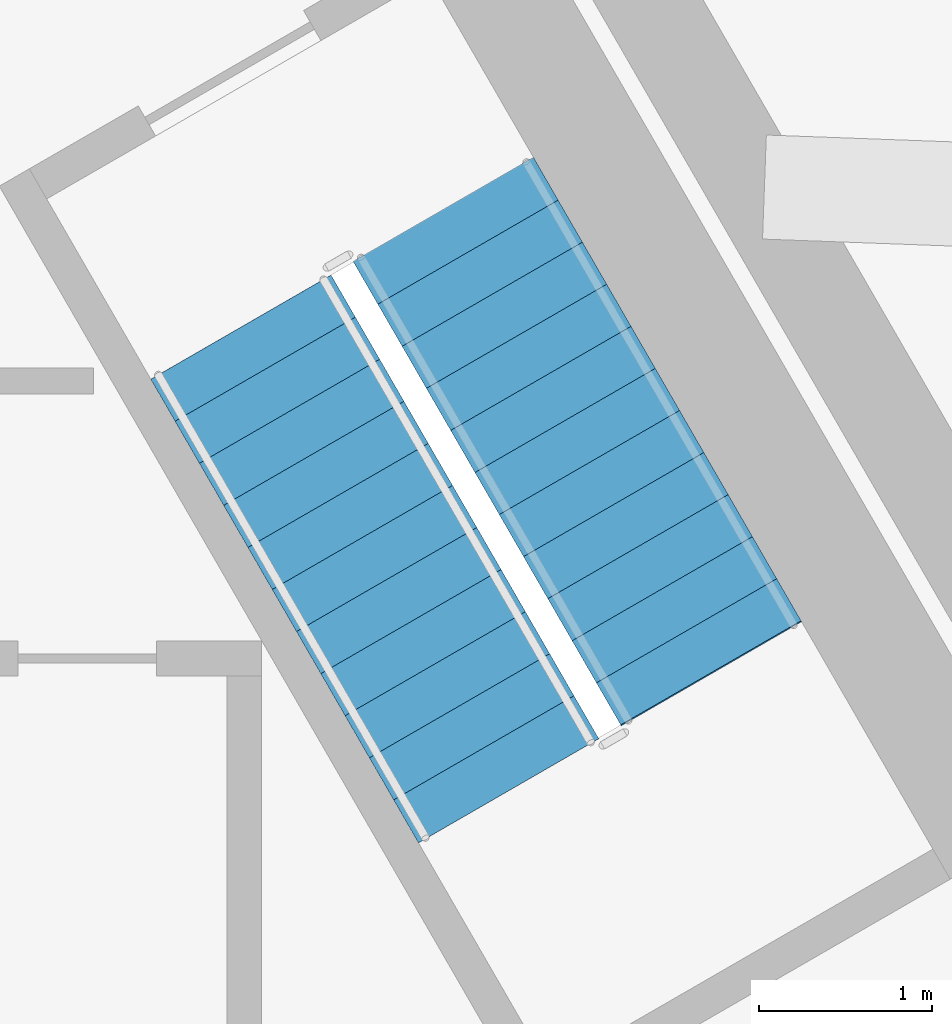
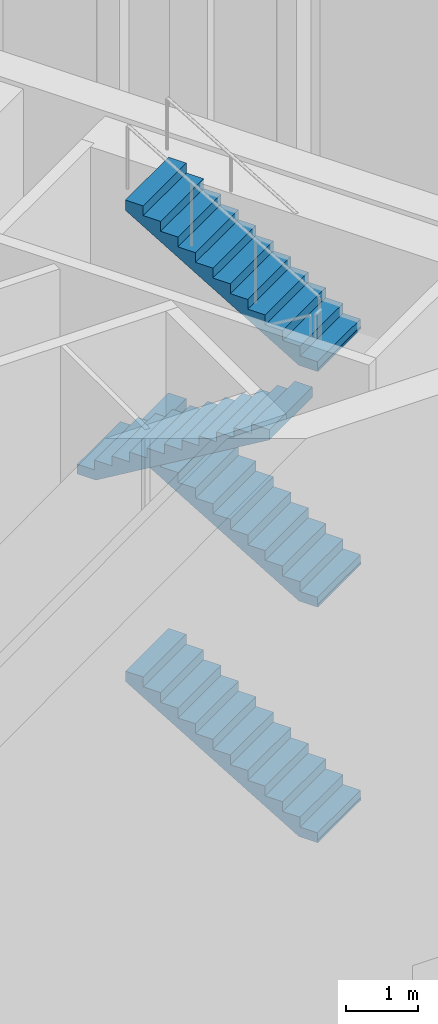
# One storey, part 8 of 9: 4 stair flights, 1 element without a shape of its own.
"""IFC4 building model written with IfcOpenShell, lengths in metres."""

from ifc_helpers import new_model, si_unit, direction, frame, origin, place, context, subcontext, project, spatial, polyline, outline, extrude, material, layer, layer_set, type_object, element, aggregate, save


model = new_model("IFC4")

# Units and contexts
model_context = context("Model", 3, precision=1e-05, world=origin(), true_north=direction((0.0, 1.0)))
body_context = subcontext(model_context, "Body", "Model", "MODEL_VIEW")
ifc_project = project(units=[si_unit("LENGTHUNIT", "METRE"), si_unit("AREAUNIT", "SQUARE_METRE"), si_unit("VOLUMEUNIT", "CUBIC_METRE"), si_unit("PLANEANGLEUNIT", "RADIAN"), si_unit("MASSUNIT", "GRAM", prefix="KILO")], contexts=[model_context])

# Site, building, storey
site_placement = place(None, origin())
site = spatial("IfcSite", under=ifc_project, at=site_placement, CompositionType="ELEMENT")
building_placement = place(site_placement, origin())
building = spatial("IfcBuilding", under=site, at=building_placement, Name="Tramontana Tower", CompositionType="ELEMENT")
storey_placement = place(building_placement, frame((0.0, 0.0, 380.89990234375)))
storey = spatial("IfcBuildingStorey", under=building, at=storey_placement, Name="Crown", CompositionType="ELEMENT", Elevation=380.89990234375)

# Stair, stair flights
ifc_material_1 = material(Name="Concrete 40 MPa", Category="concrete")
stair_type = type_object("IfcStairType", Name="EXIT STAIR 72 RISERS", PredefinedType="HALF_TURN_STAIR", material=ifc_material_1)
stair_placement = place(storey_placement, origin())
stair = element("IfcStair", 1, at=stair_placement, inside=storey, type_object=stair_type, Name="Crown Exit stair ST3", PredefinedType="HALF_TURN_STAIR")
ifc_material_2 = material(Name="Concrete 40 MPa", Category="concrete")
ifc_layer = layer(ifc_material_2, 0.14990234375)
ifc_layer_set = layer_set([ifc_layer], Name="EXIT STAIR FLIGHT")
stair_flight_type = type_object("IfcStairFlightType", Name="EXIT STAIR FLIGHT", PredefinedType="STRAIGHT", material=ifc_layer_set)
stair_flight_1_placement = place(storey_placement, frame((7.380126953125, -3.0830078125, 2.0), z_axis=(0.0, 0.0, 1.0), x_axis=(-0.5, 0.866025403784, 0.0)))
stair_flight_1 = element("IfcStairFlight", 2, at=stair_flight_1_placement, type_object=stair_flight_type, Name="ST3 flight 2", NumberOfRisers=12, NumberOfTreads=11, PredefinedType="STRAIGHT", RiserHeight=0.166666667, TreadLength=0.28, context=body_context, shape_type="SweptSolid", body=[
    extrude(outline(polyline([(-0.006103515625, 0.0), (-0.006103515625, 0.0400390625), (0.0, 0.0400390625), (0.0, 0.166748046875), (0.280029296875, 0.166748046875), (0.280029296875, 0.333251953125), (0.56005859375, 0.333251953125), (0.56005859375, 0.5), (0.840087890625, 0.5), (0.840087890625, 0.666748046875), (1.1201171875, 0.666748046875), (1.1201171875, 0.833251953125), (1.39990234375, 0.833251953125), (1.39990234375, 1.0), (1.679931640625, 1.0), (1.679931640625, 1.166748046875), (1.9599609375, 1.166748046875), (1.9599609375, 1.333251953125), (2.239990234375, 1.333251953125), (2.239990234375, 1.5), (2.52001953125, 1.5), (2.52001953125, 1.666748046875), (2.800048828125, 1.666748046875), (2.800048828125, 1.833251953125), (3.080078125, 1.833251953125), (3.0859375, 1.833251953125), (3.0859375, 1.658935546875), (0.299072265625, 0.0), (-0.006103515625, 0.0)])), frame((0.0, 0.60009765625, 0.0), z_axis=(0.0, -1.0, 0.0), x_axis=(1.0, 0.0, 0.0)), (0.0, 0.0, 1.0), 1.199951171875),
])
stair_flight_2_placement = place(storey_placement, frame((7.380126953125, -3.0830078125, 6.0), z_axis=(0.0, 0.0, 1.0), x_axis=(-0.5, 0.866025403784, 0.0)))
stair_flight_2 = element("IfcStairFlight", 3, at=stair_flight_2_placement, type_object=stair_flight_type, Name="ST3 flight 4", NumberOfRisers=12, NumberOfTreads=11, PredefinedType="STRAIGHT", RiserHeight=0.166666667, TreadLength=0.28, context=body_context, shape_type="SweptSolid", body=[
    extrude(outline(polyline([(-0.006103515625, 0.0), (-0.006103515625, 0.0400390625), (0.0, 0.0400390625), (0.0, 0.166748046875), (0.280029296875, 0.166748046875), (0.280029296875, 0.333251953125), (0.56005859375, 0.333251953125), (0.56005859375, 0.5), (0.840087890625, 0.5), (0.840087890625, 0.666748046875), (1.1201171875, 0.666748046875), (1.1201171875, 0.833251953125), (1.39990234375, 0.833251953125), (1.39990234375, 1.0), (1.679931640625, 1.0), (1.679931640625, 1.166748046875), (1.9599609375, 1.166748046875), (1.9599609375, 1.333251953125), (2.239990234375, 1.333251953125), (2.239990234375, 1.5), (2.52001953125, 1.5), (2.52001953125, 1.666748046875), (2.800048828125, 1.666748046875), (2.800048828125, 1.833251953125), (3.080078125, 1.833251953125), (3.0859375, 1.833251953125), (3.0859375, 1.658935546875), (0.299072265625, 0.0), (-0.006103515625, 0.0)])), frame((0.0, 0.60009765625, 0.0), z_axis=(0.0, -1.0, 0.0), x_axis=(1.0, 0.0, 0.0)), (0.0, 0.0, 1.0), 1.199951171875),
])
stair_flight_3_placement = place(storey_placement, frame((4.671142578125, -1.090576171875, 8.0), z_axis=(0.0, 0.0, 1.0), x_axis=(0.5, -0.866025403784, 0.0)))
stair_flight_3 = element("IfcStairFlight", 4, at=stair_flight_3_placement, type_object=stair_flight_type, Name="ST3 flight 5", NumberOfRisers=12, NumberOfTreads=11, PredefinedType="STRAIGHT", RiserHeight=0.166666667, TreadLength=0.28, context=body_context, shape_type="SweptSolid", body=[
    extrude(outline(polyline([(-0.006103515625, 0.0), (-0.006103515625, 0.0400390625), (0.0, 0.0400390625), (0.0, 0.166748046875), (0.280029296875, 0.166748046875), (0.280029296875, 0.333251953125), (0.56005859375, 0.333251953125), (0.56005859375, 0.5), (0.840087890625, 0.5), (0.840087890625, 0.666748046875), (1.1201171875, 0.666748046875), (1.1201171875, 0.833251953125), (1.39990234375, 0.833251953125), (1.39990234375, 1.0), (1.679931640625, 1.0), (1.679931640625, 1.166748046875), (1.9599609375, 1.166748046875), (1.9599609375, 1.333251953125), (2.239990234375, 1.333251953125), (2.239990234375, 1.5), (2.52001953125, 1.5), (2.52001953125, 1.666748046875), (2.800048828125, 1.666748046875), (2.800048828125, 1.833251953125), (3.080078125, 1.833251953125), (3.0859375, 1.833251953125), (3.0859375, 1.658935546875), (0.299072265625, 0.0), (-0.006103515625, 0.0)])), frame((0.0, 0.60009765625, 0.0), z_axis=(0.0, -1.0, 0.0), x_axis=(1.0, 0.0, 0.0)), (0.0, 0.0, 1.0), 1.199951171875),
])
stair_flight_4_placement = place(storey_placement, frame((7.380126953125, -3.0830078125, 10.0), z_axis=(0.0, 0.0, 1.0), x_axis=(-0.5, 0.866025403784, 0.0)))
stair_flight_4 = element("IfcStairFlight", 5, at=stair_flight_4_placement, type_object=stair_flight_type, Name="ST3 flight 6", NumberOfRisers=12, NumberOfTreads=11, PredefinedType="STRAIGHT", RiserHeight=0.166666667, TreadLength=0.28, context=body_context, shape_type="SweptSolid", body=[
    extrude(outline(polyline([(-0.006103515625, 0.0), (-0.006103515625, 0.0400390625), (0.0, 0.0400390625), (0.0, 0.166748046875), (0.280029296875, 0.166748046875), (0.280029296875, 0.333251953125), (0.56005859375, 0.333251953125), (0.56005859375, 0.5), (0.840087890625, 0.5), (0.840087890625, 0.666748046875), (1.1201171875, 0.666748046875), (1.1201171875, 0.833251953125), (1.39990234375, 0.833251953125), (1.39990234375, 1.0), (1.679931640625, 1.0), (1.679931640625, 1.166748046875), (1.9599609375, 1.166748046875), (1.9599609375, 1.333251953125), (2.239990234375, 1.333251953125), (2.239990234375, 1.5), (2.52001953125, 1.5), (2.52001953125, 1.666748046875), (2.800048828125, 1.666748046875), (2.800048828125, 1.833251953125), (3.080078125, 1.833251953125), (3.0859375, 1.833251953125), (3.0859375, 1.658935546875), (0.299072265625, 0.0), (-0.006103515625, 0.0)])), frame((0.0, 0.60009765625, 0.0), z_axis=(0.0, -1.0, 0.0), x_axis=(1.0, 0.0, 0.0)), (0.0, 0.0, 1.0), 1.199951171875),
])
aggregate(stair, [stair_flight_1, stair_flight_2, stair_flight_3, stair_flight_4])

save(model, "model.ifc")
